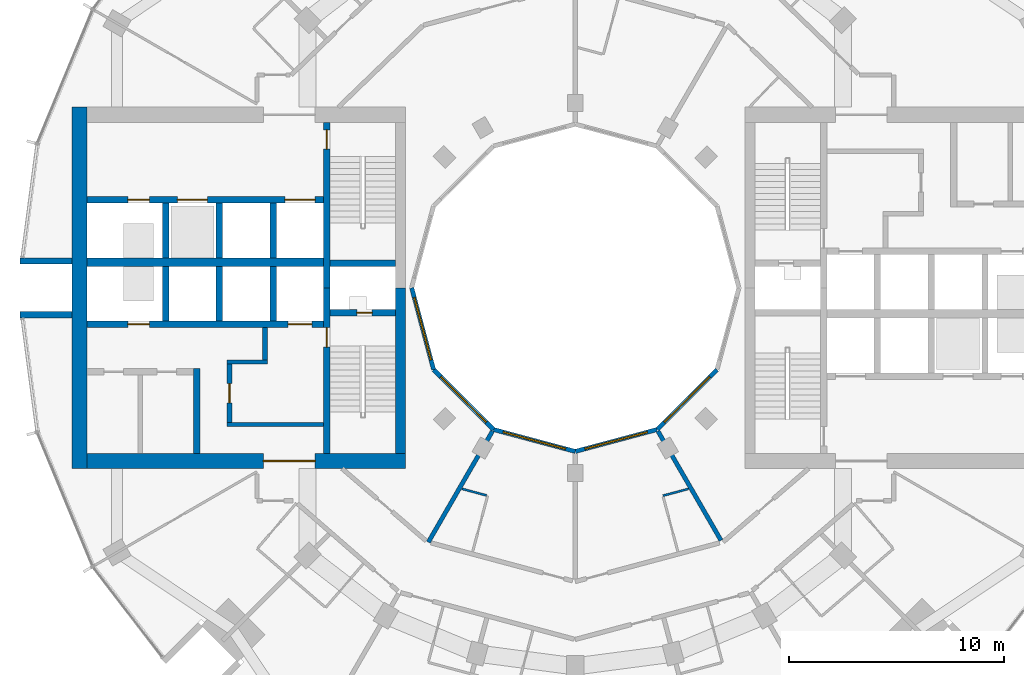
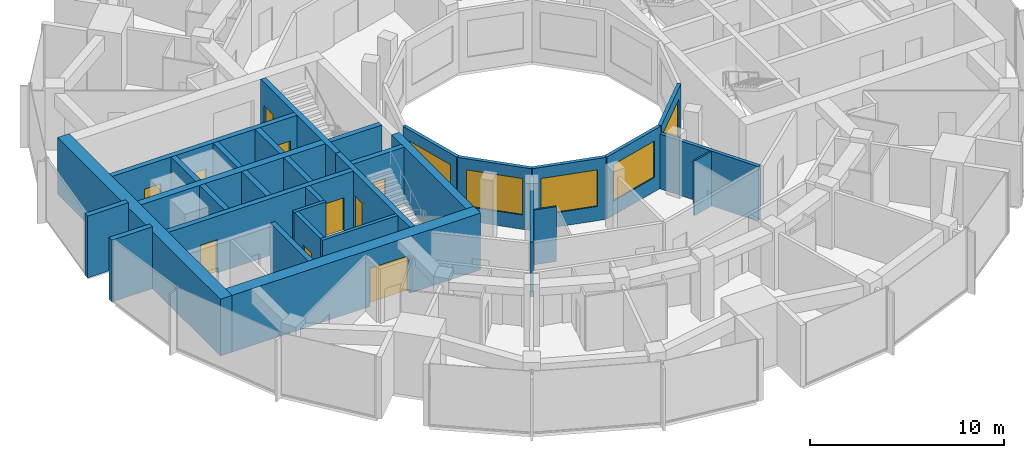
# One storey, part 9 of 15: 32 walls, 10 doors, 5 windows, 15 openings.
"""IFC4 building model written with IfcOpenShell, lengths in metres."""

import ifcopenshell
import ifcopenshell.guid

model = None  # the IFC model being written
_history = None  # IfcOwnerHistory: only IFC2X3 demands one
_inside = {}  # id of a spatial element -> (the spatial element, [elements in it])
_under = {}  # id of a project, library or spatial element -> (it, [spatial elements below it])
_declared = {}  # id of a project -> (the project, [libraries it declares])
_typed = {}  # id of a type object -> (the type object, [elements of that type])
_made_of = {}  # id of a material, layer set ... -> (it, [elements and type objects made of it])


def new_model(schema):
    """Start an empty IFC model of exactly this schema.

    Asked for "IFC4X3", IfcOpenShell would pick the latest addendum, in which some entities
    have other attributes; the version numbers below select the first issue.
    IFC2X3 requires an IfcOwnerHistory on every rooted entity: one is made here for all.
    """
    global model, _history
    if schema == "IFC4X3":
        model = ifcopenshell.file(schema_version=(4, 3, 0, 0))
    else:
        model = ifcopenshell.file(schema=schema)
    _inside.clear()
    _under.clear()
    _declared.clear()
    _typed.clear()
    _made_of.clear()
    _history = None
    if model.schema == "IFC2X3":
        org = make("IfcOrganization", Name="unknown")
        user = make(
            "IfcPersonAndOrganization",
            ThePerson=make("IfcPerson", FamilyName="unknown"),
            TheOrganization=org,
        )
        app = make(
            "IfcApplication",
            ApplicationDeveloper=org,
            Version="unknown",
            ApplicationFullName="unknown",
            ApplicationIdentifier="unknown",
        )
        _history = make(
            "IfcOwnerHistory",
            OwningUser=user,
            OwningApplication=app,
            ChangeAction="ADDED",
            CreationDate=0,
        )
    return model


def make(cls, **values):
    """One entity of the class cls with the attributes given. An attribute that is None is left unset."""
    return model.create_entity(
        cls, **{name: value for name, value in values.items() if value is not None}
    )


def rooted(cls, **values):
    """An entity with a GlobalId (a new one), such as an element, a storey or a relation."""
    return make(cls, GlobalId=ifcopenshell.guid.new(), OwnerHistory=_history, **values)


def si_unit(unit_type, name, prefix=None):
    """IfcSIUnit, for example si_unit("LENGTHUNIT", "METRE", prefix="MILLI")."""
    return make("IfcSIUnit", UnitType=unit_type, Prefix=prefix, Name=name)


def assignment(units):
    """IfcUnitAssignment: the units of a project."""
    return None if units is None else make("IfcUnitAssignment", Units=units)


def point(xyz):
    """IfcCartesianPoint."""
    return None if xyz is None else make("IfcCartesianPoint", Coordinates=xyz)


def direction(xyz):
    """IfcDirection."""
    return None if xyz is None else make("IfcDirection", DirectionRatios=xyz)


def frame(location, z_axis=None, x_axis=None):
    """IfcAxis2Placement3D, a coordinate frame: its origin and axes. An axis left out is left unset."""
    return make(
        "IfcAxis2Placement3D",
        Location=point(location),
        Axis=direction(z_axis),
        RefDirection=direction(x_axis),
    )


def frame_2d(location, x_axis=None):
    """IfcAxis2Placement2D, a coordinate frame in the plane: its origin and x axis."""
    return make(
        "IfcAxis2Placement2D", Location=point(location), RefDirection=direction(x_axis)
    )


def origin():
    """The frame at (0, 0, 0) with its axes left unset."""
    return frame((0.0, 0.0, 0.0))


def place(relative_to, where):
    """IfcLocalPlacement: puts the frame where relative to a parent placement (None: the world)."""
    return make(
        "IfcLocalPlacement", PlacementRelTo=relative_to, RelativePlacement=where
    )


def context(
    kind, dimensions, precision=None, world=None, true_north=None, identifier=None
):
    """IfcGeometricRepresentationContext, for example the 3D "Model" context."""
    return make(
        "IfcGeometricRepresentationContext",
        ContextIdentifier=identifier,
        ContextType=kind,
        CoordinateSpaceDimension=dimensions,
        Precision=precision,
        WorldCoordinateSystem=world,
        TrueNorth=true_north,
    )


def subcontext(parent, identifier, kind, view, scale=None):
    """IfcGeometricRepresentationSubContext, for example "Body" below "Model"."""
    return make(
        "IfcGeometricRepresentationSubContext",
        ContextIdentifier=identifier,
        ContextType=kind,
        ParentContext=parent,
        TargetScale=scale,
        TargetView=view,
    )


def project(units=None, contexts=None):
    """IfcProject with its units and contexts."""
    return rooted(
        "IfcProject",
        Name="project",
        RepresentationContexts=contexts,
        UnitsInContext=assignment(units),
    )


def spatial(cls, under=None, at=None, **own):
    """A site, building, storey or space (cls), placed at a placement, below another one or the project."""
    s = rooted(cls, ObjectPlacement=at, **own)
    if under is not None:
        _under.setdefault(under.id(), (under, []))[1].append(s)
    return s


def profile(cls, at=None, kind="AREA", **sizes):
    """A parametric profile (cls). Its sizes go by their IFC names, for example OverallWidth=200.0."""
    return make(cls, ProfileType=kind, Position=at, **sizes)


def rectangle(**sizes):
    """IfcRectangleProfileDef."""
    return profile("IfcRectangleProfileDef", **sizes)


def extrude(swept, where, along, depth):
    """IfcExtrudedAreaSolid: the profile swept, set in the frame where, extruded along a direction by depth."""
    return make(
        "IfcExtrudedAreaSolid",
        SweptArea=swept,
        Position=where,
        ExtrudedDirection=direction(along),
        Depth=depth,
    )


def shape(context_of_items, identifier, shape_type, items):
    """IfcShapeRepresentation: the items that make up one representation, for example the "Body"."""
    return make(
        "IfcShapeRepresentation",
        ContextOfItems=context_of_items,
        RepresentationIdentifier=identifier,
        RepresentationType=shape_type,
        Items=items,
    )


def material(Name=None, Category=None):
    """IfcMaterial."""
    return make("IfcMaterial", Name=Name, Category=Category)


def layer(
    of_material, thickness, ventilated=None, Name=None, Category=None, Priority=None
):
    """IfcMaterialLayer: one layer of a wall or slab, of a material (None: an air gap)."""
    return make(
        "IfcMaterialLayer",
        Material=of_material,
        LayerThickness=thickness,
        IsVentilated=ventilated,
        Name=Name,
        Category=Category,
        Priority=Priority,
    )


def layer_set(layers, Name=None):
    """IfcMaterialLayerSet."""
    return make("IfcMaterialLayerSet", MaterialLayers=layers, LayerSetName=Name)


def made_of(thing, what):
    """Note that an element or type object is made of a material, layer set ...; save() writes the relation."""
    if what is not None:
        _made_of.setdefault(what.id(), (what, []))[1].append(thing)
    return thing


def type_object(cls, material=None, **own):
    """A type object (cls), such as IfcWallType, which elements share."""
    return made_of(rooted(cls, **own), material)


def element(
    cls,
    number,
    at=None,
    inside=None,
    cuts=None,
    type_object=None,
    material=None,
    context=None,
    identifier="Body",
    shape_type=None,
    held_by="IfcProductDefinitionShape",
    body=None,
    shapes=None,
    **own,
):
    """One element of the class cls, such as IfcWall. Its Tag is "e" and its number.

    at: its placement. inside: the storey or other place that contains it. cuts: it is an
    opening in that element (IfcRelVoidsElement). A single representation is given by context,
    identifier, shape_type and body (its items); several are given by shapes. held_by: the class
    of the entity that holds the representations. save() writes the other relations.
    """
    e = rooted(cls, Tag="e%d" % number, ObjectPlacement=at, **own)
    if body is not None:
        shapes = [shape(context, identifier, shape_type, body)]
    if shapes is not None:
        e.Representation = make(held_by, Representations=shapes)
    if inside is not None:
        _inside.setdefault(inside.id(), (inside, []))[1].append(e)
    if cuts is not None:
        rooted(
            "IfcRelVoidsElement", RelatingBuildingElement=cuts, RelatedOpeningElement=e
        )
    if type_object is not None:
        _typed.setdefault(type_object.id(), (type_object, []))[1].append(e)
    return made_of(e, material)


def fill(opening, filler):
    """IfcRelFillsElement: the door or window that sits in an opening."""
    return rooted(
        "IfcRelFillsElement",
        RelatingOpeningElement=opening,
        RelatedBuildingElement=filler,
    )


def aggregate(whole, parts):
    """IfcRelAggregates: a whole, such as a stair, and the parts it consists of."""
    return rooted("IfcRelAggregates", RelatingObject=whole, RelatedObjects=parts)


def save(model, path):
    """Write the relations noted so far, then the file.

    IfcRelAggregates (storeys below a building ...), IfcRelContainedInSpatialStructure (elements
    in a storey), IfcRelDefinesByType, IfcRelAssociatesMaterial and IfcRelDeclares: one each for
    every whole, place, type object, material and project.
    """
    for whole, parts in _under.values():
        aggregate(whole, parts)
    for where, things in _inside.values():
        rooted(
            "IfcRelContainedInSpatialStructure",
            RelatedElements=things,
            RelatingStructure=where,
        )
    for kind, things in _typed.values():
        rooted("IfcRelDefinesByType", RelatedObjects=things, RelatingType=kind)
    for what, things in _made_of.values():
        rooted("IfcRelAssociatesMaterial", RelatedObjects=things, RelatingMaterial=what)
    for by, libraries in _declared.values():
        rooted("IfcRelDeclares", RelatingContext=by, RelatedDefinitions=libraries)
    model.write(path)


model = new_model("IFC4")

# Units and contexts
model_context = context("Model", 3, precision=1e-05, world=origin(), true_north=direction((0.0, 1.0)))
body_context = subcontext(model_context, "Body", "Model", "MODEL_VIEW")
ifc_project = project(units=[si_unit("LENGTHUNIT", "METRE"), si_unit("AREAUNIT", "SQUARE_METRE"), si_unit("VOLUMEUNIT", "CUBIC_METRE"), si_unit("PLANEANGLEUNIT", "RADIAN"), si_unit("MASSUNIT", "GRAM", prefix="KILO")], contexts=[model_context])

# Site, building, storey
site_placement = place(None, origin())
site = spatial("IfcSite", under=ifc_project, at=site_placement, CompositionType="ELEMENT")
building_placement = place(site_placement, origin())
building = spatial("IfcBuilding", under=site, at=building_placement, Name="Torre Brocal", CompositionType="ELEMENT")
storey_placement = place(building_placement, frame((0.0, 0.0, 114.60009765625)))
storey = spatial("IfcBuildingStorey", under=building, at=storey_placement, Name="L26", CompositionType="ELEMENT", Elevation=114.60009765625)

# Walls
ifc_material_1 = material(Name="Concrete C70", Category="concrete")
ifc_layer_1 = layer(ifc_material_1, 0.199951171875)
ifc_layer_set_1 = layer_set([ifc_layer_1], Name="Concrete C70")
wall_type_1 = type_object("IfcWallType", Name="CORE WALL 200 C70", PredefinedType="SHEAR", material=ifc_layer_set_1)
wall_1_placement = place(storey_placement, frame((68.300048828125, 68.64990234375, 0.0), z_axis=(0.0, 0.0, 1.0), x_axis=(-1.0, 0.0, 0.0)))
element("IfcWall", 1, at=wall_1_placement, inside=storey, type_object=wall_type_1, Name="Wall CW200-70", PredefinedType="SHEAR", context=body_context, shape_type="SweptSolid", body=[
    extrude(rectangle(XDim=4.5, YDim=0.199951171875, at=frame_2d((2.25, 0.0))), origin(), (0.0, 0.0, 1.0), 3.579833984375),
])
wall_2_placement = place(storey_placement, frame((65.699951171875, 71.550048828125, 0.0), z_axis=(0.0, 0.0, 1.0), x_axis=(-1.0, 0.0, 0.0)))
element("IfcWall", 2, at=wall_2_placement, inside=storey, type_object=wall_type_1, Name="Wall CW200-70", PredefinedType="SHEAR", context=body_context, shape_type="SweptSolid", body=[
    extrude(rectangle(XDim=1.89990234375, YDim=0.199951171875, at=frame_2d((0.949951171875, 0.0))), origin(), (0.0, 0.0, 1.0), 3.579833984375),
])

# Wall, opening, door
ifc_material_2 = material(Name="Concrete C70", Category="concrete")
ifc_layer_2 = layer(ifc_material_2, 0.25)
ifc_layer_set_2 = layer_set([ifc_layer_2], Name="Concrete C70")
wall_type_2 = type_object("IfcWallType", Name="CORE WALL 250 C70", PredefinedType="SHEAR", material=ifc_layer_set_2)
wall_3_placement = place(storey_placement, frame((63.925048828125, 71.449951171875, 0.0), z_axis=(0.0, 0.0, 1.0), x_axis=(0.0, -1.0, 0.0)))
wall_3 = element("IfcWall", 3, at=wall_3_placement, inside=storey, type_object=wall_type_2, Name="Wall CW250-70", PredefinedType="SHEAR", context=body_context, shape_type="SweptSolid", body=[
    extrude(rectangle(XDim=2.699951171875, YDim=0.25, at=frame_2d((1.35009765625, 0.0))), origin(), (0.0, 0.0, 1.0), 3.579833984375),
])
opening_1_placement = place(wall_3_placement, frame((0.89990234375, 0.0, 0.0)))
opening_1 = element("IfcOpeningElement", 4, at=opening_1_placement, cuts=wall_3, Name="Opening W-D15", PredefinedType="OPENING", context=body_context, shape_type="SweptSolid", body=[
    extrude(rectangle(XDim=0.89990234375, YDim=2.10009765625, at=frame_2d((0.449951171875, 1.050048828125))), frame((0.0, 0.135009765625, 0.0), z_axis=(0.0, -1.0, 0.0), x_axis=(1.0, 0.0, 0.0)), (0.0, 0.0, 1.0), 0.27001953125),
])
ifc_material_3 = material(Name="Steel A653", Category="steel")
door_type_1 = type_object("IfcDoorType", Name="LOBBY DOOR FD120 900X2100", OperationType="SINGLE_SWING_RIGHT", PredefinedType="DOOR", material=ifc_material_3)
door_1_placement = place(opening_1_placement, origin())
door_1 = element("IfcDoor", 5, at=door_1_placement, inside=storey, type_object=door_type_1, Name="Door W-D15", OperationType="SINGLE_SWING_LEFT", OverallHeight=2.10009765625, OverallWidth=0.89990234375, PredefinedType="DOOR", context=body_context, shape_type="SweptSolid", body=[
    extrude(rectangle(XDim=0.89990234375, YDim=2.10009765625, at=frame_2d((0.449951171875, 1.050048828125))), frame((0.0, 0.02490234375, 0.0), z_axis=(0.0, -1.0, 0.0), x_axis=(1.0, 0.0, 0.0)), (0.0, 0.0, 1.0), 0.050048828125),
])
fill(opening_1, door_1)

# Wall
wall_4_placement = place(storey_placement, frame((65.574951171875, 73.14990234375, 0.0), z_axis=(0.0, 0.0, 1.0), x_axis=(0.0, -1.0, 0.0)))
element("IfcWall", 6, at=wall_4_placement, inside=storey, type_object=wall_type_2, Name="Wall CW250-70", PredefinedType="SHEAR", context=body_context, shape_type="SweptSolid", body=[
    extrude(rectangle(XDim=1.5, YDim=0.25, at=frame_2d((0.75, 0.0))), origin(), (0.0, 0.0, 1.0), 3.579833984375),
])

# Wall, opening, door
ifc_material_4 = material(Name="Concrete C70", Category="concrete")
ifc_layer_3 = layer(ifc_material_4, 0.300048828125)
ifc_layer_set_3 = layer_set([ifc_layer_3], Name="Concrete C70")
wall_type_3 = type_object("IfcWallType", Name="CORE WALL 300 C70", PredefinedType="SHEAR", material=ifc_layer_set_3)
wall_5_placement = place(storey_placement, frame((68.449951171875, 75.0, 0.0), z_axis=(0.0, 0.0, 1.0), x_axis=(0.0, -1.0, 0.0)))
wall_5 = element("IfcWall", 7, at=wall_5_placement, inside=storey, type_object=wall_type_3, Name="Wall CW300-70", PredefinedType="SHEAR", context=body_context, shape_type="SweptSolid", body=[
    extrude(rectangle(XDim=7.699951171875, YDim=0.300048828125, at=frame_2d((3.85009765625, 0.0))), origin(), (0.0, 0.0, 1.0), 3.579833984375),
])
opening_2_placement = place(wall_5_placement, frame((1.85009765625, 0.0, 0.0)))
opening_2 = element("IfcOpeningElement", 8, at=opening_2_placement, cuts=wall_5, Name="Opening W-D02", PredefinedType="OPENING", context=body_context, shape_type="SweptSolid", body=[
    extrude(rectangle(XDim=0.89990234375, YDim=2.10009765625, at=frame_2d((0.449951171875, 1.050048828125))), frame((0.0, 0.159912109375, 0.0), z_axis=(0.0, -1.0, 0.0), x_axis=(1.0, 0.0, 0.0)), (0.0, 0.0, 1.0), 0.320068359375),
])
ifc_material_5 = material(Name="Steel A653", Category="steel")
door_type_2 = type_object("IfcDoorType", Name="STAIR DOOR FD120 900X2100", OperationType="SINGLE_SWING_RIGHT", PredefinedType="DOOR", material=ifc_material_5)
door_2_placement = place(opening_2_placement, origin())
door_2 = element("IfcDoor", 9, at=door_2_placement, inside=storey, type_object=door_type_2, Name="Door W-D02", OperationType="SINGLE_SWING_LEFT", OverallHeight=2.10009765625, OverallWidth=0.89990234375, PredefinedType="DOOR", context=body_context, shape_type="SweptSolid", body=[
    extrude(rectangle(XDim=0.89990234375, YDim=2.10009765625, at=frame_2d((0.449951171875, 1.050048828125))), frame((0.0, 0.02490234375, 0.0), z_axis=(0.0, -1.0, 0.0), x_axis=(1.0, 0.0, 0.0)), (0.0, 0.0, 1.0), 0.050048828125),
])
fill(opening_2, door_2)

wall_6_placement = place(storey_placement, frame((68.449951171875, 82.699951171875, 0.0), z_axis=(0.0, 0.0, 1.0), x_axis=(0.0, -1.0, 0.0)))
wall_6 = element("IfcWall", 10, at=wall_6_placement, inside=storey, type_object=wall_type_3, Name="Wall CW300-70", PredefinedType="SHEAR", context=body_context, shape_type="SweptSolid", body=[
    extrude(rectangle(XDim=7.699951171875, YDim=0.300048828125, at=frame_2d((3.85009765625, 0.0))), origin(), (0.0, 0.0, 1.0), 3.579833984375),
])
opening_3_placement = place(wall_6_placement, frame((0.35009765625, 0.0, 0.0)))
opening_3 = element("IfcOpeningElement", 11, at=opening_3_placement, cuts=wall_6, Name="Opening W-D03", PredefinedType="OPENING", context=body_context, shape_type="SweptSolid", body=[
    extrude(rectangle(XDim=0.89990234375, YDim=2.10009765625, at=frame_2d((0.449951171875, 1.050048828125))), frame((0.0, 0.159912109375, 0.0), z_axis=(0.0, -1.0, 0.0), x_axis=(1.0, 0.0, 0.0)), (0.0, 0.0, 1.0), 0.320068359375),
])
door_3_placement = place(opening_3_placement, origin())
door_3 = element("IfcDoor", 12, at=door_3_placement, inside=storey, type_object=door_type_2, Name="Door W-D03", OperationType="SINGLE_SWING_LEFT", OverallHeight=2.10009765625, OverallWidth=0.89990234375, PredefinedType="DOOR", context=body_context, shape_type="SweptSolid", body=[
    extrude(rectangle(XDim=0.89990234375, YDim=2.10009765625, at=frame_2d((0.449951171875, 1.050048828125))), frame((0.0, 0.02490234375, 0.0), z_axis=(0.0, -1.0, 0.0), x_axis=(1.0, 0.0, 0.0)), (0.0, 0.0, 1.0), 0.050048828125),
])
fill(opening_3, door_3)

wall_7_placement = place(storey_placement, frame((71.64990234375, 73.85009765625, 0.0), z_axis=(0.0, 0.0, 1.0), x_axis=(-1.0, 0.0, 0.0)))
wall_7 = element("IfcWall", 13, at=wall_7_placement, inside=storey, type_object=wall_type_3, Name="Wall CW300-70", PredefinedType="SHEAR", context=body_context, shape_type="SweptSolid", body=[
    extrude(rectangle(XDim=3.0498046875, YDim=0.300048828125, at=frame_2d((1.52490234375, 0.0))), origin(), (0.0, 0.0, 1.0), 3.579833984375),
])
opening_4_placement = place(wall_7_placement, frame((1.10009765625, 0.0, 0.0)))
opening_4 = element("IfcOpeningElement", 14, at=opening_4_placement, cuts=wall_7, Name="Opening W-D01", PredefinedType="OPENING", context=body_context, shape_type="SweptSolid", body=[
    extrude(rectangle(XDim=0.699951171875, YDim=2.0, at=frame_2d((0.35009765625, 1.0))), frame((0.0, 0.159912109375, 0.0), z_axis=(0.0, -1.0, 0.0), x_axis=(1.0, 0.0, 0.0)), (0.0, 0.0, 1.0), 0.320068359375),
])
ifc_material_6 = material(Name="Steel A653", Category="steel")
door_type_3 = type_object("IfcDoorType", Name="RISER DOOR FD120 700X2000", OperationType="SINGLE_SWING_LEFT", PredefinedType="DOOR", material=ifc_material_6)
door_4_placement = place(opening_4_placement, frame((0.699951171875, 0.0, 0.0), z_axis=(0.0, 0.0, 1.0), x_axis=(-1.0, 0.0, 0.0)))
door_4 = element("IfcDoor", 15, at=door_4_placement, inside=storey, type_object=door_type_3, Name="Door W-D01", OperationType="SINGLE_SWING_RIGHT", OverallHeight=2.0, OverallWidth=0.699951171875, PredefinedType="DOOR", context=body_context, shape_type="SweptSolid", body=[
    extrude(rectangle(XDim=0.699951171875, YDim=2.0, at=frame_2d((0.35009765625, 1.0))), frame((0.0, 0.02490234375, 0.0), z_axis=(0.0, -1.0, 0.0), x_axis=(1.0, 0.0, 0.0)), (0.0, 0.0, 1.0), 0.050048828125),
])
fill(opening_4, door_4)

# Wall
wall_8_placement = place(storey_placement, frame((71.64990234375, 76.14990234375, 0.0), z_axis=(0.0, 0.0, 1.0), x_axis=(-1.0, 0.0, 0.0)))
element("IfcWall", 16, at=wall_8_placement, inside=storey, type_object=wall_type_3, Name="Wall CW300-70", PredefinedType="SHEAR", context=body_context, shape_type="SweptSolid", body=[
    extrude(rectangle(XDim=3.0498046875, YDim=0.300048828125, at=frame_2d((1.52490234375, 0.0))), origin(), (0.0, 0.0, 1.0), 3.579833984375),
])

# Wall, openings, doors
wall_9_placement = place(storey_placement, frame((68.300048828125, 73.300048828125, 0.0), z_axis=(0.0, 0.0, 1.0), x_axis=(-1.0, 0.0, 0.0)))
wall_9 = element("IfcWall", 17, at=wall_9_placement, inside=storey, type_object=wall_type_3, Name="Wall CW300-70", PredefinedType="SHEAR", context=body_context, shape_type="SweptSolid", body=[
    extrude(rectangle(XDim=11.0, YDim=0.300048828125, at=frame_2d((5.5, 0.0))), origin(), (0.0, 0.0, 1.0), 3.579833984375),
])
opening_5_placement = place(wall_9_placement, frame((0.550048828125, 0.0, 0.0)))
opening_5 = element("IfcOpeningElement", 18, at=opening_5_placement, cuts=wall_9, Name="Opening LD", PredefinedType="OPENING", context=body_context, shape_type="SweptSolid", body=[
    extrude(rectangle(XDim=1.10009765625, YDim=2.10009765625, at=frame_2d((0.550048828125, 1.050048828125))), frame((0.0, 0.159912109375, 0.0), z_axis=(0.0, -1.0, 0.0), x_axis=(1.0, 0.0, 0.0)), (0.0, 0.0, 1.0), 0.320068359375),
])
opening_6_placement = place(wall_9_placement, frame((8.10009765625, 0.0, 0.0)))
opening_6 = element("IfcOpeningElement", 19, at=opening_6_placement, cuts=wall_9, Name="Opening LD10", PredefinedType="OPENING", context=body_context, shape_type="SweptSolid", body=[
    extrude(rectangle(XDim=1.0, YDim=2.10009765625, at=frame_2d((0.5, 1.050048828125))), frame((0.0, 0.159912109375, 0.0), z_axis=(0.0, -1.0, 0.0), x_axis=(1.0, 0.0, 0.0)), (0.0, 0.0, 1.0), 0.320068359375),
])
ifc_material_7 = material(Name="Stainless steel AISI 316", Category="steel")
door_type_4 = type_object("IfcDoorType", Name="LIFT LANDING DOOR 1000X2100", OperationType="DOUBLE_DOOR_SLIDING", PredefinedType="DOOR", material=ifc_material_7)
door_5_placement = place(opening_6_placement, origin())
door_5 = element("IfcDoor", 20, at=door_5_placement, inside=storey, type_object=door_type_4, Name="Door LD10", OperationType="DOUBLE_DOOR_SLIDING", OverallHeight=2.10009765625, OverallWidth=1.0, PredefinedType="DOOR", context=body_context, shape_type="SweptSolid", body=[
    extrude(rectangle(XDim=1.0, YDim=2.10009765625, at=frame_2d((0.5, 1.050048828125))), frame((0.0, 0.02490234375, 0.0), z_axis=(0.0, -1.0, 0.0), x_axis=(1.0, 0.0, 0.0)), (0.0, 0.0, 1.0), 0.050048828125),
])
fill(opening_6, door_5)
ifc_material_8 = material(Name="Stainless steel AISI 316", Category="steel")
door_type_5 = type_object("IfcDoorType", Name="LIFT LANDING DOOR 1100X2100", OperationType="DOUBLE_DOOR_SLIDING", PredefinedType="DOOR", material=ifc_material_8)
door_6_placement = place(opening_5_placement, origin())
door_6 = element("IfcDoor", 21, at=door_6_placement, inside=storey, type_object=door_type_5, Name="Door LD", OperationType="DOUBLE_DOOR_SLIDING", OverallHeight=2.10009765625, OverallWidth=1.10009765625, PredefinedType="DOOR", context=body_context, shape_type="SweptSolid", body=[
    extrude(rectangle(XDim=1.10009765625, YDim=2.10009765625, at=frame_2d((0.550048828125, 1.050048828125))), frame((0.0, 0.02490234375, 0.0), z_axis=(0.0, -1.0, 0.0), x_axis=(1.0, 0.0, 0.0)), (0.0, 0.0, 1.0), 0.050048828125),
])
fill(opening_5, door_6)

wall_10_placement = place(storey_placement, frame((68.300048828125, 79.10009765625, 0.0), z_axis=(0.0, 0.0, 1.0), x_axis=(-1.0, 0.0, 0.0)))
wall_10 = element("IfcWall", 22, at=wall_10_placement, inside=storey, type_object=wall_type_3, Name="Wall CW300-70", PredefinedType="SHEAR", context=body_context, shape_type="SweptSolid", body=[
    extrude(rectangle(XDim=11.0, YDim=0.300048828125, at=frame_2d((5.5, 0.0))), origin(), (0.0, 0.0, 1.0), 3.579833984375),
])
opening_7_placement = place(wall_10_placement, frame((0.39990234375, 0.0, 0.0)))
opening_7 = element("IfcOpeningElement", 23, at=opening_7_placement, cuts=wall_10, Name="Opening LD14", PredefinedType="OPENING", context=body_context, shape_type="SweptSolid", body=[
    extrude(rectangle(XDim=1.39990234375, YDim=2.10009765625, at=frame_2d((0.699951171875, 1.050048828125))), frame((0.0, 0.159912109375, 0.0), z_axis=(0.0, -1.0, 0.0), x_axis=(1.0, 0.0, 0.0)), (0.0, 0.0, 1.0), 0.320068359375),
])
opening_8_placement = place(wall_10_placement, frame((5.39990234375, 0.0, 0.0)))
opening_8 = element("IfcOpeningElement", 24, at=opening_8_placement, cuts=wall_10, Name="Opening LD14", PredefinedType="OPENING", context=body_context, shape_type="SweptSolid", body=[
    extrude(rectangle(XDim=1.39990234375, YDim=2.10009765625, at=frame_2d((0.699951171875, 1.050048828125))), frame((0.0, 0.159912109375, 0.0), z_axis=(0.0, -1.0, 0.0), x_axis=(1.0, 0.0, 0.0)), (0.0, 0.0, 1.0), 0.320068359375),
])
opening_9_placement = place(wall_10_placement, frame((8.10009765625, 0.0, 0.0)))
opening_9 = element("IfcOpeningElement", 25, at=opening_9_placement, cuts=wall_10, Name="Opening LD10", PredefinedType="OPENING", context=body_context, shape_type="SweptSolid", body=[
    extrude(rectangle(XDim=1.0, YDim=2.10009765625, at=frame_2d((0.5, 1.050048828125))), frame((0.0, 0.159912109375, 0.0), z_axis=(0.0, -1.0, 0.0), x_axis=(1.0, 0.0, 0.0)), (0.0, 0.0, 1.0), 0.320068359375),
])
door_7_placement = place(opening_9_placement, origin())
door_7 = element("IfcDoor", 26, at=door_7_placement, inside=storey, type_object=door_type_4, Name="Door LD10", OperationType="DOUBLE_DOOR_SLIDING", OverallHeight=2.10009765625, OverallWidth=1.0, PredefinedType="DOOR", context=body_context, shape_type="SweptSolid", body=[
    extrude(rectangle(XDim=1.0, YDim=2.10009765625, at=frame_2d((0.5, 1.050048828125))), frame((0.0, 0.02490234375, 0.0), z_axis=(0.0, -1.0, 0.0), x_axis=(1.0, 0.0, 0.0)), (0.0, 0.0, 1.0), 0.050048828125),
])
fill(opening_9, door_7)
ifc_material_9 = material(Name="Stainless steel AISI 316", Category="steel")
door_type_6 = type_object("IfcDoorType", Name="LIFT LANDING DOOR 1400X2100", OperationType="DOUBLE_DOOR_SLIDING", PredefinedType="DOOR", material=ifc_material_9)
door_8_placement = place(opening_7_placement, origin())
door_8 = element("IfcDoor", 27, at=door_8_placement, inside=storey, type_object=door_type_6, Name="Door LD14", OperationType="DOUBLE_DOOR_SLIDING", OverallHeight=2.10009765625, OverallWidth=1.39990234375, PredefinedType="DOOR", context=body_context, shape_type="SweptSolid", body=[
    extrude(rectangle(XDim=1.39990234375, YDim=2.10009765625, at=frame_2d((0.699951171875, 1.050048828125))), frame((0.0, 0.02490234375, 0.0), z_axis=(0.0, -1.0, 0.0), x_axis=(1.0, 0.0, 0.0)), (0.0, 0.0, 1.0), 0.050048828125),
])
fill(opening_7, door_8)
door_9_placement = place(opening_8_placement, origin())
door_9 = element("IfcDoor", 28, at=door_9_placement, inside=storey, type_object=door_type_6, Name="Door LD14", OperationType="DOUBLE_DOOR_SLIDING", OverallHeight=2.10009765625, OverallWidth=1.39990234375, PredefinedType="DOOR", context=body_context, shape_type="SweptSolid", body=[
    extrude(rectangle(XDim=1.39990234375, YDim=2.10009765625, at=frame_2d((0.699951171875, 1.050048828125))), frame((0.0, 0.02490234375, 0.0), z_axis=(0.0, -1.0, 0.0), x_axis=(1.0, 0.0, 0.0)), (0.0, 0.0, 1.0), 0.050048828125),
])
fill(opening_8, door_9)

# Walls
for number, where, z_axis, x_axis, name in (
    (29, (65.949951171875, 76.0, 0.0), (0.0, 0.0, 1.0), (0.0, -1.0, 0.0), "Wall CW300-70"),
    (30, (63.449951171875, 76.0, 0.0), (0.0, 0.0, 1.0), (0.0, -1.0, 0.0), "Wall CW300-70"),
    (31, (60.949951171875, 76.0, 0.0), (0.0, 0.0, 1.0), (0.0, -1.0, 0.0), "Wall CW300-70"),
    (32, (65.949951171875, 78.949951171875, 0.0), (0.0, 0.0, 1.0), (0.0, -1.0, 0.0), "Wall CW300-70"),
    (33, (63.449951171875, 78.949951171875, 0.0), (0.0, 0.0, 1.0), (0.0, -1.0, 0.0), "Wall CW300-70"),
    (34, (60.949951171875, 78.949951171875, 0.0), (0.0, 0.0, 1.0), (0.0, -1.0, 0.0), "Wall CW300-70"),
):
    element("IfcWall", number, at=place(storey_placement, frame(where, z_axis=z_axis, x_axis=x_axis)), inside=storey, type_object=wall_type_3, Name=name, PredefinedType="SHEAR", context=body_context, shape_type="SweptSolid", body=[
        extrude(rectangle(XDim=2.550048828125, YDim=0.300048828125, at=frame_2d((1.27490234375, 0.0))), origin(), (0.0, 0.0, 1.0), 3.579833984375),
    ])
wall_11_placement = place(storey_placement, frame((62.39990234375, 71.25, 0.0), z_axis=(0.0, 0.0, 1.0), x_axis=(0.0, -1.0, 0.0)))
element("IfcWall", 35, at=wall_11_placement, inside=storey, type_object=wall_type_3, Name="Wall CW300-70", PredefinedType="SHEAR", context=body_context, shape_type="SweptSolid", body=[
    extrude(rectangle(XDim=3.949951171875, YDim=0.300048828125, at=frame_2d((1.97509765625, 0.0))), origin(), (0.0, 0.0, 1.0), 3.579833984375),
])
ifc_material_10 = material(Name="Concrete C70", Category="concrete")
ifc_layer_4 = layer(ifc_material_10, 0.39990234375)
ifc_layer_set_4 = layer_set([ifc_layer_4], Name="Concrete C70")
wall_type_4 = type_object("IfcWallType", Name="CORE WALL 400 C70", PredefinedType="SHEAR", material=ifc_layer_set_4)
wall_12_placement = place(storey_placement, frame((68.300048828125, 76.199951171875, 0.0), z_axis=(0.0, 0.0, 1.0), x_axis=(-1.0, 0.0, 0.0)))
element("IfcWall", 36, at=wall_12_placement, inside=storey, type_object=wall_type_4, Name="Wall CW400-70", PredefinedType="SHEAR", context=body_context, shape_type="SweptSolid", body=[
    extrude(rectangle(XDim=11.0, YDim=0.39990234375, at=frame_2d((5.5, 0.0))), origin(), (0.0, 0.0, 1.0), 3.579833984375),
])
ifc_material_11 = material(Name="Concrete C70", Category="concrete")
ifc_layer_5 = layer(ifc_material_11, 0.449951171875)
ifc_layer_set_5 = layer_set([ifc_layer_5], Name="Concrete C70")
wall_type_5 = type_object("IfcWallType", Name="CORE WALL 450 C70", PredefinedType="SHEAR", material=ifc_layer_set_5)
wall_13_placement = place(storey_placement, frame((71.875, 75.0, 0.0), z_axis=(0.0, 0.0, 1.0), x_axis=(0.0, -1.0, 0.0)))
element("IfcWall", 37, at=wall_13_placement, inside=storey, type_object=wall_type_5, Name="Wall CW450-70", PredefinedType="SHEAR", context=body_context, shape_type="SweptSolid", body=[
    extrude(rectangle(XDim=7.699951171875, YDim=0.449951171875, at=frame_2d((3.85009765625, 0.0))), origin(), (0.0, 0.0, 1.0), 3.579833984375),
])

# Wall, opening, door
ifc_material_12 = material(Name="Concrete C70", Category="concrete")
ifc_layer_6 = layer(ifc_material_12, 0.699951171875)
ifc_layer_set_6 = layer_set([ifc_layer_6], Name="Concrete C70")
wall_type_6 = type_object("IfcWallType", Name="CORE WALL 700 C70", PredefinedType="SHEAR", material=ifc_layer_set_6)
wall_14_placement = place(storey_placement, frame((72.10009765625, 66.949951171875, 0.0), z_axis=(0.0, 0.0, 1.0), x_axis=(-1.0, 0.0, 0.0)))
wall_14 = element("IfcWall", 38, at=wall_14_placement, inside=storey, type_object=wall_type_6, Name="Wall CW700-70", PredefinedType="SHEAR", context=body_context, shape_type="SweptSolid", body=[
    extrude(rectangle(XDim=14.800048828125, YDim=0.699951171875, at=frame_2d((7.39990234375, 0.0))), origin(), (0.0, 0.0, 1.0), 3.579833984375),
])
opening_10_placement = place(wall_14_placement, frame((4.199951171875, 0.0, 0.0)))
opening_10 = element("IfcOpeningElement", 39, at=opening_10_placement, cuts=wall_14, Name="Opening W-D24", PredefinedType="OPENING", context=body_context, shape_type="SweptSolid", body=[
    extrude(rectangle(XDim=2.39990234375, YDim=2.39990234375, at=frame_2d((1.199951171875, 1.199951171875))), frame((0.0, 0.35986328125, 0.0), z_axis=(0.0, -1.0, 0.0), x_axis=(1.0, 0.0, 0.0)), (0.0, 0.0, 1.0), 0.719970703125),
])
ifc_material_13 = material(Name="Steel A653", Category="steel")
door_type_7 = type_object("IfcDoorType", Name="DOUBLE FIRE DOOR FD90 2400X2400", OperationType="DOUBLE_DOOR_SINGLE_SWING", PredefinedType="DOOR", material=ifc_material_13)
door_10_placement = place(opening_10_placement, frame((2.39990234375, 0.0, 0.0), z_axis=(0.0, 0.0, 1.0), x_axis=(-1.0, 0.0, 0.0)))
door_10 = element("IfcDoor", 40, at=door_10_placement, inside=storey, type_object=door_type_7, Name="Door W-D24", OperationType="DOUBLE_DOOR_SINGLE_SWING", OverallHeight=2.39990234375, OverallWidth=2.39990234375, PredefinedType="DOOR", context=body_context, shape_type="SweptSolid", body=[
    extrude(rectangle(XDim=2.39990234375, YDim=2.39990234375, at=frame_2d((1.199951171875, 1.199951171875))), frame((0.0, 0.02490234375, 0.0), z_axis=(0.0, -1.0, 0.0), x_axis=(1.0, 0.0, 0.0)), (0.0, 0.0, 1.0), 0.050048828125),
])
fill(opening_10, door_10)

# Walls
wall_15_placement = place(storey_placement, frame((56.949951171875, 83.39990234375, 0.0), z_axis=(0.0, 0.0, 1.0), x_axis=(0.0, -1.0, 0.0)))
element("IfcWall", 41, at=wall_15_placement, inside=storey, type_object=wall_type_6, Name="Wall CW700-70", PredefinedType="SHEAR", context=body_context, shape_type="SweptSolid", body=[
    extrude(rectangle(XDim=16.7998046875, YDim=0.699951171875, at=frame_2d((8.39990234375, 0.0))), origin(), (0.0, 0.0, 1.0), 3.579833984375),
])
ifc_material_14 = material(Name="Concrete C70", Category="concrete")
ifc_layer_7 = layer(ifc_material_14, 0.300048828125)
ifc_layer_set_7 = layer_set([ifc_layer_7], Name="Concrete C70")
wall_type_7 = type_object("IfcWallType", Name="NOTCH RETURN WALL 300 C70", PredefinedType="NOTDEFINED", material=ifc_layer_set_7)
for number, where, z_axis, x_axis, name in (
    (42, (56.60009765625, 76.25, 0.0), (0.0, 0.0, 1.0), (-1.0, 0.0, 0.0), "NOTCH RETURN WALL"),
    (43, (56.60009765625, 73.75, 0.0), (0.0, 0.0, 1.0), (-1.0, 0.0, 0.0), "NOTCH RETURN WALL"),
):
    element("IfcWall", number, at=place(storey_placement, frame(where, z_axis=z_axis, x_axis=x_axis)), inside=storey, type_object=wall_type_7, Name=name, PredefinedType="NOTDEFINED", context=body_context, shape_type="SweptSolid", body=[
        extrude(rectangle(XDim=2.415771484375, YDim=0.300048828125, at=frame_2d((1.2080078125, 0.0))), origin(), (0.0, 0.0, 1.0), 3.89990234375),
    ])
ifc_material_15 = material(Name="Gypsum board", Category="Gypsum")
ifc_layer_8 = layer(ifc_material_15, 0.10009765625)
ifc_layer_set_8 = layer_set([ifc_layer_8], Name="Gypsum board")
wall_type_8 = type_object("IfcWallType", Name="PARTITION 100", PredefinedType="PARTITIONING", material=ifc_layer_set_8)
wall_16_placement = place(storey_placement, frame((74.729248046875, 65.657470703125, 0.0), z_axis=(0.0, 0.0, 1.0), x_axis=(0.965948051503, -0.258736085224, 0.0)))
element("IfcWall", 44, at=wall_16_placement, inside=storey, type_object=wall_type_8, Name="BATHROOM WALL", PredefinedType="PARTITIONING", context=body_context, shape_type="SweptSolid", body=[
    extrude(rectangle(XDim=1.18896484375, YDim=0.10009765625, at=frame_2d((0.594482421875, 0.0))), origin(), (0.0, 0.0, 1.0), 3.449951171875),
])
wall_17_placement = place(storey_placement, frame((84.073974609375, 65.3369140625, 0.0), z_axis=(0.0, 0.0, 1.0), x_axis=(0.965914351064, 0.258861867428, 0.0)))
element("IfcWall", 45, at=wall_17_placement, inside=storey, type_object=wall_type_8, Name="BATHROOM WALL", PredefinedType="PARTITIONING", context=body_context, shape_type="SweptSolid", body=[
    extrude(rectangle(XDim=1.22900390625, YDim=0.10009765625, at=frame_2d((0.614501953125, 0.0))), origin(), (0.0, 0.0, 1.0), 3.449951171875),
])
ifc_material_16 = material(Name="Gypsum board", Category="Gypsum")
ifc_layer_9 = layer(ifc_material_16, 0.199951171875)
ifc_layer_set_9 = layer_set([ifc_layer_9], Name="Gypsum board")
wall_type_9 = type_object("IfcWallType", Name="PARTITION 200 EI60", PredefinedType="PARTITIONING", material=ifc_layer_set_9)
wall_18_placement = place(storey_placement, frame((73.169189453125, 63.17822265625, 0.0), z_axis=(0.0, 0.0, 1.0), x_axis=(0.500239348149, 0.865887171959, 0.0)))
element("IfcWall", 46, at=wall_18_placement, inside=storey, type_object=wall_type_9, Name="BATHROOM WALL", PredefinedType="PARTITIONING", context=body_context, shape_type="SweptSolid", body=[
    extrude(rectangle(XDim=5.955078125, YDim=0.199951171875, at=frame_2d((2.9775390625, 0.0))), origin(), (0.0, 0.0, 1.0), 3.449951171875),
])
wall_19_placement = place(storey_placement, frame((83.84765625, 68.332275390625, 0.0), z_axis=(0.0, 0.0, 1.0), x_axis=(0.499933000352, -0.866064082594, 0.0)))
element("IfcWall", 47, at=wall_19_placement, inside=storey, type_object=wall_type_9, Name="BATHROOM WALL", PredefinedType="PARTITIONING", context=body_context, shape_type="SweptSolid", body=[
    extrude(rectangle(XDim=5.855224609375, YDim=0.199951171875, at=frame_2d((2.927734375, 0.0))), origin(), (0.0, 0.0, 1.0), 3.449951171875),
])

# Wall, opening, window
ifc_material_17 = material(Name="Concrete C40", Category="concrete")
ifc_layer_10 = layer(ifc_material_17, 0.199951171875)
ifc_layer_set_10 = layer_set([ifc_layer_10], Name="Concrete C40")
wall_type_10 = type_object("IfcWallType", Name="WELL FACADE WALL 200", PredefinedType="NOTDEFINED", material=ifc_layer_set_10)
wall_20_placement = place(storey_placement, frame((72.396484375, 75.0, 0.0), z_axis=(0.0, 0.0, 1.0), x_axis=(0.258789828301, -0.965933654434, 0.0)))
wall_20 = element("IfcWall", 48, at=wall_20_placement, inside=storey, type_object=wall_type_10, Name="WELL FACADE WALL", PredefinedType="NOTDEFINED", context=body_context, shape_type="SweptSolid", body=[
    extrude(rectangle(XDim=3.935791015625, YDim=0.199951171875, at=frame_2d((1.9677734375, 0.0))), origin(), (0.0, 0.0, 1.0), 3.89990234375),
])
opening_11_placement = place(wall_20_placement, frame((0.468017578125, 0.0, 0.89990234375)))
opening_11 = element("IfcOpeningElement", 49, at=opening_11_placement, cuts=wall_20, Name="Opening W1", PredefinedType="OPENING", context=body_context, shape_type="SweptSolid", body=[
    extrude(rectangle(XDim=3.0, YDim=2.300048828125, at=frame_2d((1.5, 1.14990234375))), frame((0.0, 0.10986328125, 0.0), z_axis=(0.0, -1.0, 0.0), x_axis=(1.0, 0.0, 0.0)), (0.0, 0.0, 1.0), 0.219970703125),
])
ifc_material_18 = material(Name="Aluminium and glass", Category="aluminium")
window_type = type_object("IfcWindowType", Name="WELL WINDOW 3000X2300", PartitioningType="SINGLE_PANEL", PredefinedType="WINDOW", material=ifc_material_18)
window_1_placement = place(opening_11_placement, origin())
window_1 = element("IfcWindow", 50, at=window_1_placement, inside=storey, type_object=window_type, Name="WELL WINDOW 3000X2300", OverallHeight=2.300048828125, OverallWidth=3.0, PartitioningType="SINGLE_PANEL", PredefinedType="WINDOW", context=body_context, shape_type="SweptSolid", body=[
    extrude(rectangle(XDim=3.0, YDim=2.300048828125, at=frame_2d((1.5, 1.14990234375))), frame((0.0, 0.030029296875, 0.0), z_axis=(0.0, -1.0, 0.0), x_axis=(1.0, 0.0, 0.0)), (0.0, 0.0, 1.0), 0.06005859375),
])
fill(opening_11, window_1)

wall_21_placement = place(storey_placement, frame((73.4150390625, 71.1982421875, 0.0), z_axis=(0.0, 0.0, 1.0), x_axis=(0.707106781187, -0.707106781187, 0.0)))
wall_21 = element("IfcWall", 51, at=wall_21_placement, inside=storey, type_object=wall_type_10, Name="WELL FACADE WALL", PredefinedType="NOTDEFINED", context=body_context, shape_type="SweptSolid", body=[
    extrude(rectangle(XDim=3.93603515625, YDim=0.199951171875, at=frame_2d((1.968017578125, 0.0))), origin(), (0.0, 0.0, 1.0), 3.89990234375),
])
opening_12_placement = place(wall_21_placement, frame((0.468017578125, 0.0, 0.89990234375)))
opening_12 = element("IfcOpeningElement", 52, at=opening_12_placement, cuts=wall_21, Name="Opening W1", PredefinedType="OPENING", context=body_context, shape_type="SweptSolid", body=[
    extrude(rectangle(XDim=3.0, YDim=2.300048828125, at=frame_2d((1.5, 1.14990234375))), frame((0.0, 0.10986328125, 0.0), z_axis=(0.0, -1.0, 0.0), x_axis=(1.0, 0.0, 0.0)), (0.0, 0.0, 1.0), 0.219970703125),
])
window_2_placement = place(opening_12_placement, origin())
window_2 = element("IfcWindow", 53, at=window_2_placement, inside=storey, type_object=window_type, Name="WELL WINDOW 3000X2300", OverallHeight=2.300048828125, OverallWidth=3.0, PartitioningType="SINGLE_PANEL", PredefinedType="WINDOW", context=body_context, shape_type="SweptSolid", body=[
    extrude(rectangle(XDim=3.0, YDim=2.300048828125, at=frame_2d((1.5, 1.14990234375))), frame((0.0, 0.030029296875, 0.0), z_axis=(0.0, -1.0, 0.0), x_axis=(1.0, 0.0, 0.0)), (0.0, 0.0, 1.0), 0.06005859375),
])
fill(opening_12, window_2)

wall_22_placement = place(storey_placement, frame((76.1982421875, 68.4150390625, 0.0), z_axis=(0.0, 0.0, 1.0), x_axis=(0.965933654434, -0.258789828301, 0.0)))
wall_22 = element("IfcWall", 54, at=wall_22_placement, inside=storey, type_object=wall_type_10, Name="WELL FACADE WALL", PredefinedType="NOTDEFINED", context=body_context, shape_type="SweptSolid", body=[
    extrude(rectangle(XDim=3.935791015625, YDim=0.199951171875, at=frame_2d((1.9677734375, 0.0))), origin(), (0.0, 0.0, 1.0), 3.89990234375),
])
opening_13_placement = place(wall_22_placement, frame((0.468017578125, 0.0, 0.89990234375)))
opening_13 = element("IfcOpeningElement", 55, at=opening_13_placement, cuts=wall_22, Name="Opening W1", PredefinedType="OPENING", context=body_context, shape_type="SweptSolid", body=[
    extrude(rectangle(XDim=3.0, YDim=2.300048828125, at=frame_2d((1.5, 1.14990234375))), frame((0.0, 0.10986328125, 0.0), z_axis=(0.0, -1.0, 0.0), x_axis=(1.0, 0.0, 0.0)), (0.0, 0.0, 1.0), 0.219970703125),
])
window_3_placement = place(opening_13_placement, origin())
window_3 = element("IfcWindow", 56, at=window_3_placement, inside=storey, type_object=window_type, Name="WELL WINDOW 3000X2300", OverallHeight=2.300048828125, OverallWidth=3.0, PartitioningType="SINGLE_PANEL", PredefinedType="WINDOW", context=body_context, shape_type="SweptSolid", body=[
    extrude(rectangle(XDim=3.0, YDim=2.300048828125, at=frame_2d((1.5, 1.14990234375))), frame((0.0, 0.030029296875, 0.0), z_axis=(0.0, -1.0, 0.0), x_axis=(1.0, 0.0, 0.0)), (0.0, 0.0, 1.0), 0.06005859375),
])
fill(opening_13, window_3)

wall_23_placement = place(storey_placement, frame((80.0, 67.396484375, 0.0), z_axis=(0.0, 0.0, 1.0), x_axis=(0.965933654434, 0.258789828301, 0.0)))
wall_23 = element("IfcWall", 57, at=wall_23_placement, inside=storey, type_object=wall_type_10, Name="WELL FACADE WALL", PredefinedType="NOTDEFINED", context=body_context, shape_type="SweptSolid", body=[
    extrude(rectangle(XDim=3.935791015625, YDim=0.199951171875, at=frame_2d((1.9677734375, 0.0))), origin(), (0.0, 0.0, 1.0), 3.89990234375),
])
opening_14_placement = place(wall_23_placement, frame((0.468017578125, 0.0, 0.89990234375)))
opening_14 = element("IfcOpeningElement", 58, at=opening_14_placement, cuts=wall_23, Name="Opening W1", PredefinedType="OPENING", context=body_context, shape_type="SweptSolid", body=[
    extrude(rectangle(XDim=3.0, YDim=2.300048828125, at=frame_2d((1.5, 1.14990234375))), frame((0.0, 0.10986328125, 0.0), z_axis=(0.0, -1.0, 0.0), x_axis=(1.0, 0.0, 0.0)), (0.0, 0.0, 1.0), 0.219970703125),
])
window_4_placement = place(opening_14_placement, origin())
window_4 = element("IfcWindow", 59, at=window_4_placement, inside=storey, type_object=window_type, Name="WELL WINDOW 3000X2300", OverallHeight=2.300048828125, OverallWidth=3.0, PartitioningType="SINGLE_PANEL", PredefinedType="WINDOW", context=body_context, shape_type="SweptSolid", body=[
    extrude(rectangle(XDim=3.0, YDim=2.300048828125, at=frame_2d((1.5, 1.14990234375))), frame((0.0, 0.030029296875, 0.0), z_axis=(0.0, -1.0, 0.0), x_axis=(1.0, 0.0, 0.0)), (0.0, 0.0, 1.0), 0.06005859375),
])
fill(opening_14, window_4)

wall_24_placement = place(storey_placement, frame((83.8017578125, 68.4150390625, 0.0), z_axis=(0.0, 0.0, 1.0), x_axis=(0.707106781187, 0.707106781187, 0.0)))
wall_24 = element("IfcWall", 60, at=wall_24_placement, inside=storey, type_object=wall_type_10, Name="WELL FACADE WALL", PredefinedType="NOTDEFINED", context=body_context, shape_type="SweptSolid", body=[
    extrude(rectangle(XDim=3.93603515625, YDim=0.199951171875, at=frame_2d((1.968017578125, 0.0))), origin(), (0.0, 0.0, 1.0), 3.89990234375),
])
opening_15_placement = place(wall_24_placement, frame((0.468017578125, 0.0, 0.89990234375)))
opening_15 = element("IfcOpeningElement", 61, at=opening_15_placement, cuts=wall_24, Name="Opening W1", PredefinedType="OPENING", context=body_context, shape_type="SweptSolid", body=[
    extrude(rectangle(XDim=3.0, YDim=2.300048828125, at=frame_2d((1.5, 1.14990234375))), frame((0.0, 0.10986328125, 0.0), z_axis=(0.0, -1.0, 0.0), x_axis=(1.0, 0.0, 0.0)), (0.0, 0.0, 1.0), 0.219970703125),
])
window_5_placement = place(opening_15_placement, origin())
window_5 = element("IfcWindow", 62, at=window_5_placement, inside=storey, type_object=window_type, Name="WELL WINDOW 3000X2300", OverallHeight=2.300048828125, OverallWidth=3.0, PartitioningType="SINGLE_PANEL", PredefinedType="WINDOW", context=body_context, shape_type="SweptSolid", body=[
    extrude(rectangle(XDim=3.0, YDim=2.300048828125, at=frame_2d((1.5, 1.14990234375))), frame((0.0, 0.030029296875, 0.0), z_axis=(0.0, -1.0, 0.0), x_axis=(1.0, 0.0, 0.0)), (0.0, 0.0, 1.0), 0.06005859375),
])
fill(opening_15, window_5)

save(model, "model.ifc")
